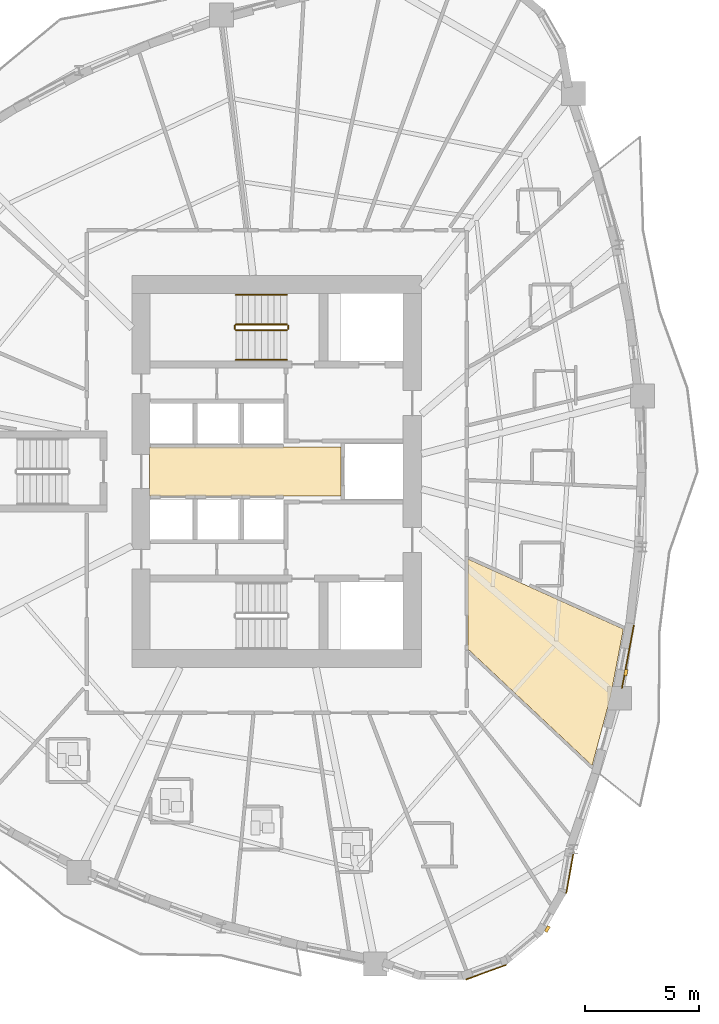
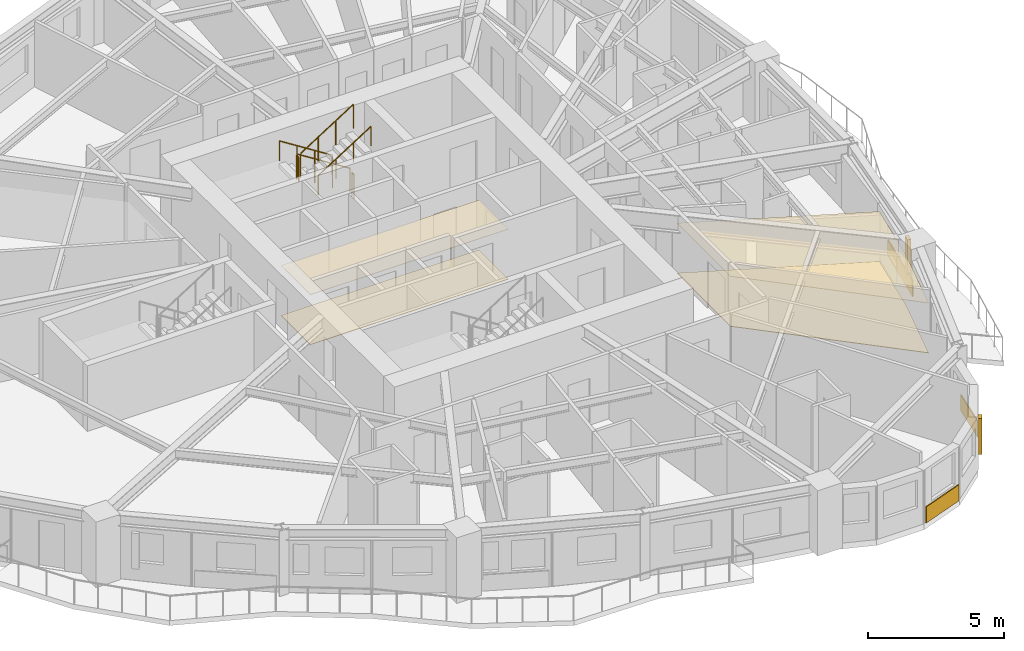
# One storey, part 12 of 14: 7 coverings, 6 railings, 2 shading devices.
"""IFC4 building model written with IfcOpenShell, lengths in metres."""

from ifc_helpers import new_model, si_unit, direction, frame, origin, origin_2d, place, context, subcontext, project, spatial, polyline, rectangle, circle, outline, extrude, source, transform, mapped, material, layer, layer_set, type_object, element, save


model = new_model("IFC4")

# Units and contexts
model_context = context("Model", 3, precision=1e-05, world=origin(), true_north=direction((0.0, 1.0)))
body_context = subcontext(model_context, "Body", "Model", "MODEL_VIEW")
ifc_project = project(units=[si_unit("LENGTHUNIT", "METRE"), si_unit("AREAUNIT", "SQUARE_METRE"), si_unit("VOLUMEUNIT", "CUBIC_METRE"), si_unit("PLANEANGLEUNIT", "RADIAN"), si_unit("MASSUNIT", "GRAM", prefix="KILO")], contexts=[model_context])

# Site, building, storey
site_placement = place(None, origin())
site = spatial("IfcSite", under=ifc_project, at=site_placement, CompositionType="ELEMENT")
building_placement = place(site_placement, origin())
building = spatial("IfcBuilding", under=site, at=building_placement, Name="Qafzar Sky-Pleat Residences", CompositionType="ELEMENT")
storey_placement = place(building_placement, frame((0.0, 0.0, 23.800048828125)))
storey = spatial("IfcBuildingStorey", under=building, at=storey_placement, Name="L06", CompositionType="ELEMENT", Elevation=23.800048828125)

# Coverings
ifc_material_1 = material(Name="Perforated acoustic gypsum board ceiling")
ifc_layer_1 = layer(ifc_material_1, 0.02001953125)
ifc_layer_set_1 = layer_set([ifc_layer_1], Name="Perforated acoustic gypsum board ceiling")
covering_type_1 = type_object("IfcCoveringType", Name="COV-CEIL-ACOUSTIC", PredefinedType="CEILING", material=ifc_layer_set_1)
covering_1_placement = place(storey_placement, frame((0.0, 0.0, 2.239990234375)))
element("IfcCovering", 1, at=covering_1_placement, inside=storey, type_object=covering_type_1, Name="L06 Passenger Lift Lobby Acoustic Ceiling", PredefinedType="CEILING", context=body_context, shape_type="SweptSolid", body=[
    extrude(outline(polyline([(33.179931640625, 24.919921875), (24.77001953125, 24.919921875), (24.77001953125, 27.080078125), (33.179931640625, 27.080078125), (33.179931640625, 24.919921875)])), origin(), (0.0, 0.0, 1.0), 0.02001953125),
])
covering_2_placement = place(storey_placement, frame((0.0, 0.0, 2.239990234375)))
element("IfcCovering", 2, at=covering_2_placement, inside=storey, type_object=covering_type_1, Name="L06 Communal Kitchen Acoustic Ceiling", PredefinedType="CEILING", context=body_context, shape_type="SweptSolid", body=[
    extrude(outline(polyline([(44.1884765625, 13.095703125), (38.739990234375, 18.208740234375), (38.739990234375, 22.15478515625), (45.5576171875, 19.083740234375), (44.998291015625, 16.140869140625), (44.1884765625, 13.095703125)])), origin(), (0.0, 0.0, 1.0), 0.02001953125),
])
ifc_material_2 = material(Name="Honed porcelain and Riyadh stone tile flooring", Category="masonry")
ifc_layer_2 = layer(ifc_material_2, 0.02001953125)
ifc_layer_set_2 = layer_set([ifc_layer_2], Name="Honed porcelain and Riyadh stone tile flooring")
covering_type_2 = type_object("IfcCoveringType", Name="COV-FLR-PORCELAIN", PredefinedType="FLOORING", material=ifc_layer_set_2)
covering_3_placement = place(storey_placement, origin())
element("IfcCovering", 3, at=covering_3_placement, inside=storey, type_object=covering_type_2, Name="L06 Passenger Lift Lobby Honed Stone Flooring", PredefinedType="FLOORING", context=body_context, shape_type="SweptSolid", body=[
    extrude(outline(polyline([(33.179931640625, 24.919921875), (24.77001953125, 24.919921875), (24.77001953125, 27.080078125), (33.179931640625, 27.080078125), (33.179931640625, 24.919921875)])), origin(), (0.0, 0.0, 1.0), 0.02001953125),
])
covering_4_placement = place(storey_placement, origin())
element("IfcCovering", 4, at=covering_4_placement, inside=storey, type_object=covering_type_2, Name="L06 Communal Kitchen Honed Stone Flooring", PredefinedType="FLOORING", context=body_context, shape_type="SweptSolid", body=[
    extrude(outline(polyline([(44.1884765625, 13.095703125), (38.739990234375, 18.208740234375), (38.739990234375, 22.15478515625), (45.5576171875, 19.083740234375), (44.998291015625, 16.140869140625), (44.1884765625, 13.095703125)])), origin(), (0.0, 0.0, 1.0), 0.02001953125),
])

# Shading devices
ifc_material_3 = material(Name="Honed Riyadh limestone solar fin", Category="masonry")
ifc_layer_3 = layer(ifc_material_3, 0.139892578125)
ifc_layer_set_3 = layer_set([ifc_layer_3], Name="Honed Riyadh limestone solar fin")
shading_device_type = type_object("IfcShadingDeviceType", Name="SHD-FIN-STONE", PredefinedType="SHUTTER", material=ifc_layer_set_3)
shared_shape_1 = source(origin(), body_context, "Body", "SweptSolid", [
    extrude(rectangle(XDim=0.139892578125, YDim=0.280029296875, at=origin_2d()), origin(), (0.0, 0.0, 1.0), 1.60009765625),
])
for number, where, z_axis, x_axis, name in (
    (5, (42.224609375, 5.924072265625, 0.599853515625), (0.0, 0.0, 1.0), (0.86603181203, -0.499988900429, 0.0), "L06 Limestone Solar Fin 21"),
    (6, (45.668701171875, 17.177978515625, 0.599853515625), (0.0, 0.0, 1.0), (0.982421191785, -0.186677802463, 0.0), "L06 Limestone Solar Fin 25"),
):
    element("IfcShadingDevice", number, at=place(storey_placement, frame(where, z_axis=z_axis, x_axis=x_axis)), inside=storey, type_object=shading_device_type, Name=name, PredefinedType="SHUTTER", context=body_context, shape_type="MappedRepresentation", body=[
        mapped(shared_shape_1, transform((0.0, 0.0, 0.0), x_axis=(1.0, 0.0, 0.0), y_axis=(0.0, 1.0, 0.0), z_axis=(0.0, 0.0, 1.0), scale=1.0)),
    ])

# Coverings
ifc_material_4 = material(Name="Honed Riyadh Tuwaiq limestone cladding", Category="masonry")
ifc_layer_4 = layer(ifc_material_4, 0.044921875)
ifc_layer_set_4 = layer_set([ifc_layer_4], Name="Honed Riyadh Tuwaiq limestone cladding")
covering_type_3 = type_object("IfcCoveringType", Name="COV-CLAD-STONE", PredefinedType="CLADDING", material=ifc_layer_set_4)
shared_shape_2 = source(origin(), body_context, "Body", "SweptSolid", [
    extrude(rectangle(XDim=1.8291015625, YDim=0.044921875, at=origin_2d()), origin(), (0.0, 0.0, 1.0), 0.719970703125),
])
covering_5_placement = place(storey_placement, frame((43.21435546875, 8.395751953125, 0.02001953125), z_axis=(0.0, 0.0, 1.0), x_axis=(0.17364778674, 0.984807821943, 0.0)))
element("IfcCovering", 7, at=covering_5_placement, inside=storey, type_object=covering_type_3, Name="L06 Riyadh Limestone Spandrel Cladding 22", PredefinedType="CLADDING", context=body_context, shape_type="MappedRepresentation", body=[
    mapped(shared_shape_2, transform((0.0, 0.0, 0.0), x_axis=(1.0, 0.0, 0.0), y_axis=(0.0, 1.0, 0.0), z_axis=(0.0, 0.0, 1.0), scale=1.0)),
])
shared_shape_3 = source(origin(), body_context, "Body", "SweptSolid", [
    extrude(rectangle(XDim=1.881103515625, YDim=0.044921875, at=origin_2d()), origin(), (0.0, 0.0, 1.0), 0.719970703125),
])
covering_6_placement = place(storey_placement, frame((39.53369140625, 4.031982421875, 0.02001953125), z_axis=(0.0, 0.0, 1.0), x_axis=(0.939715179222, 0.34195815817, 0.0)))
element("IfcCovering", 8, at=covering_6_placement, inside=storey, type_object=covering_type_3, Name="L06 Riyadh Limestone Spandrel Cladding 19", PredefinedType="CLADDING", context=body_context, shape_type="MappedRepresentation", body=[
    mapped(shared_shape_3, transform((0.0, 0.0, 0.0), x_axis=(1.0, 0.0, 0.0), y_axis=(0.0, 1.0, 0.0), z_axis=(0.0, 0.0, 1.0), scale=1.0)),
])
shared_shape_4 = source(origin(), body_context, "Body", "SweptSolid", [
    extrude(rectangle(XDim=2.802001953125, YDim=0.044921875, at=origin_2d()), origin(), (0.0, 0.0, 1.0), 0.719970703125),
])
covering_7_placement = place(storey_placement, frame((45.7568359375, 17.871826171875, 0.02001953125), z_axis=(0.0, 0.0, 1.0), x_axis=(0.186681106315, 0.982420563987, 0.0)))
element("IfcCovering", 9, at=covering_7_placement, inside=storey, type_object=covering_type_3, Name="L06 Riyadh Limestone Spandrel Cladding 25", PredefinedType="CLADDING", context=body_context, shape_type="MappedRepresentation", body=[
    mapped(shared_shape_4, transform((0.0, 0.0, 0.0), x_axis=(1.0, 0.0, 0.0), y_axis=(0.0, 1.0, 0.0), z_axis=(0.0, 0.0, 1.0), scale=1.0)),
])

# Railings
ifc_material_5 = material(Name="Painted Steel S355 stair guardrail", Category="steel")
railing_type_1 = type_object("IfcRailingType", Name="RAIL-STAIR-GUARD", PredefinedType="GUARDRAIL", material=ifc_material_5)
shared_shape_5 = source(origin(), body_context, "Body", "SweptSolid", [
    extrude(circle(Radius=0.02392578125, at=origin_2d()), frame((0.0, 0.0, 1.076171875), z_axis=(0.0, -1.0, 0.0), x_axis=(1.0, 0.0, 0.0)), (0.0, 0.0, 1.0), 0.14990234375),
    extrude(circle(Radius=0.02099609375, at=origin_2d()), origin(), (0.0, 0.0, 1.0), 1.052001953125),
    extrude(circle(Radius=0.02099609375, at=origin_2d()), frame((0.0, -0.14990234375, 0.0)), (0.0, 0.0, 1.0), 1.052001953125),
])
for number, where, name in (
    (10, (28.510009765625, 32.39990234375, 1.599853515625), "L06 ST2 stair guard 2"),
    (11, (30.85009765625, 32.39990234375, 0.0), "L06 ST2 stair guard 4"),
):
    element("IfcRailing", number, at=place(storey_placement, frame(where)), inside=storey, type_object=railing_type_1, Name=name, PredefinedType="GUARDRAIL", context=body_context, shape_type="MappedRepresentation", body=[
        mapped(shared_shape_5, transform((0.0, 0.0, 0.0), x_axis=(1.0, 0.0, 0.0), y_axis=(0.0, 1.0, 0.0), z_axis=(0.0, 0.0, 1.0), scale=1.0)),
    ])
shared_shape_6 = source(origin(), body_context, "Body", "SweptSolid", [
    extrude(circle(Radius=0.02392578125, at=origin_2d()), frame((0.0, 0.0, 1.076171875), z_axis=(-0.8442293374, 0.0, 0.53598211339), x_axis=(0.0, -1.0, 0.0)), (0.0, 0.0, 1.0), 2.6533203125),
    extrude(circle(Radius=0.02099609375, at=origin_2d()), origin(), (0.0, 0.0, 1.0), 1.052001953125),
    extrude(circle(Radius=0.02099609375, at=origin_2d()), frame((-0.74658203125, 0.0, 0.47412109375)), (0.0, 0.0, 1.0), 1.052001953125),
    extrude(circle(Radius=0.02099609375, at=origin_2d()), frame((-1.493408203125, 0.0, 0.947998046875)), (0.0, 0.0, 1.0), 1.052001953125),
    extrude(circle(Radius=0.02099609375, at=origin_2d()), frame((-2.239990234375, 0.0, 1.422119140625)), (0.0, 0.0, 1.0), 1.052001953125),
])
railing_1_placement = place(storey_placement, frame((30.800048828125, 32.449951171875, 0.177734375)))
element("IfcRailing", 12, at=railing_1_placement, inside=storey, type_object=railing_type_1, Name="L06 ST2 stair guard 1", PredefinedType="GUARDRAIL", context=body_context, shape_type="MappedRepresentation", body=[
    mapped(shared_shape_6, transform((0.0, 0.0, 0.0), x_axis=(1.0, 0.0, 0.0), y_axis=(0.0, 1.0, 0.0), z_axis=(0.0, 0.0, 1.0), scale=1.0)),
])
shared_shape_7 = source(origin(), body_context, "Body", "SweptSolid", [
    extrude(circle(Radius=0.02392578125, at=origin_2d()), frame((0.0, 0.0, 1.076171875), z_axis=(0.8442293374, 0.0, 0.53598211339), x_axis=(0.0, 1.0, 0.0)), (0.0, 0.0, 1.0), 2.6533203125),
    extrude(circle(Radius=0.02099609375, at=origin_2d()), origin(), (0.0, 0.0, 1.0), 1.052001953125),
    extrude(circle(Radius=0.02099609375, at=origin_2d()), frame((0.74658203125, 0.0, 0.47412109375)), (0.0, 0.0, 1.0), 1.052001953125),
    extrude(circle(Radius=0.02099609375, at=origin_2d()), frame((1.493408203125, 0.0, 0.947998046875)), (0.0, 0.0, 1.0), 1.052001953125),
    extrude(circle(Radius=0.02099609375, at=origin_2d()), frame((2.239990234375, 0.0, 1.422119140625)), (0.0, 0.0, 1.0), 1.052001953125),
])
railing_2_placement = place(storey_placement, frame((28.56005859375, 32.199951171875, 1.77783203125)))
element("IfcRailing", 13, at=railing_2_placement, inside=storey, type_object=railing_type_1, Name="L06 ST2 stair guard 3", PredefinedType="GUARDRAIL", context=body_context, shape_type="MappedRepresentation", body=[
    mapped(shared_shape_7, transform((0.0, 0.0, 0.0), x_axis=(1.0, 0.0, 0.0), y_axis=(0.0, 1.0, 0.0), z_axis=(0.0, 0.0, 1.0), scale=1.0)),
])
ifc_material_6 = material(Name="Brushed stainless steel handrail", Category="steel")
railing_type_2 = type_object("IfcRailingType", Name="RAIL-STAIR-HAND", PredefinedType="HANDRAIL", material=ifc_material_6)
shared_shape_8 = source(origin(), body_context, "Body", "SweptSolid", [
    extrude(circle(Radius=0.02392578125, at=origin_2d()), frame((0.0, 0.0, 0.8759765625), z_axis=(-0.8442293374, 0.0, 0.53598211339), x_axis=(0.0, -1.0, 0.0)), (0.0, 0.0, 1.0), 2.6533203125),
    extrude(circle(Radius=0.02099609375, at=origin_2d()), origin(), (0.0, 0.0, 1.0), 0.851806640625),
    extrude(circle(Radius=0.02099609375, at=origin_2d()), frame((-0.74658203125, 0.0, 0.47412109375)), (0.0, 0.0, 1.0), 0.851806640625),
    extrude(circle(Radius=0.02099609375, at=origin_2d()), frame((-1.493408203125, 0.0, 0.947998046875)), (0.0, 0.0, 1.0), 0.851806640625),
    extrude(circle(Radius=0.02099609375, at=origin_2d()), frame((-2.239990234375, 0.0, 1.422119140625)), (0.0, 0.0, 1.0), 0.851806640625),
])
railing_3_placement = place(storey_placement, frame((30.800048828125, 33.75, 0.177734375)))
element("IfcRailing", 14, at=railing_3_placement, inside=storey, type_object=railing_type_2, Name="L06 ST2 stair handrail 1", PredefinedType="HANDRAIL", context=body_context, shape_type="MappedRepresentation", body=[
    mapped(shared_shape_8, transform((0.0, 0.0, 0.0), x_axis=(1.0, 0.0, 0.0), y_axis=(0.0, 1.0, 0.0), z_axis=(0.0, 0.0, 1.0), scale=1.0)),
])
shared_shape_9 = source(origin(), body_context, "Body", "SweptSolid", [
    extrude(circle(Radius=0.02392578125, at=origin_2d()), frame((0.0, 0.0, 0.8759765625), z_axis=(0.8442293374, 0.0, 0.53598211339), x_axis=(0.0, 1.0, 0.0)), (0.0, 0.0, 1.0), 2.6533203125),
    extrude(circle(Radius=0.02099609375, at=origin_2d()), origin(), (0.0, 0.0, 1.0), 0.851806640625),
    extrude(circle(Radius=0.02099609375, at=origin_2d()), frame((0.74658203125, 0.0, 0.47412109375)), (0.0, 0.0, 1.0), 0.851806640625),
    extrude(circle(Radius=0.02099609375, at=origin_2d()), frame((1.493408203125, 0.0, 0.947998046875)), (0.0, 0.0, 1.0), 0.851806640625),
    extrude(circle(Radius=0.02099609375, at=origin_2d()), frame((2.239990234375, 0.0, 1.422119140625)), (0.0, 0.0, 1.0), 0.851806640625),
])
railing_4_placement = place(storey_placement, frame((28.56005859375, 30.89990234375, 1.77783203125)))
element("IfcRailing", 15, at=railing_4_placement, inside=storey, type_object=railing_type_2, Name="L06 ST2 stair handrail 2", PredefinedType="HANDRAIL", context=body_context, shape_type="MappedRepresentation", body=[
    mapped(shared_shape_9, transform((0.0, 0.0, 0.0), x_axis=(1.0, 0.0, 0.0), y_axis=(0.0, 1.0, 0.0), z_axis=(0.0, 0.0, 1.0), scale=1.0)),
])

save(model, "model.ifc")
